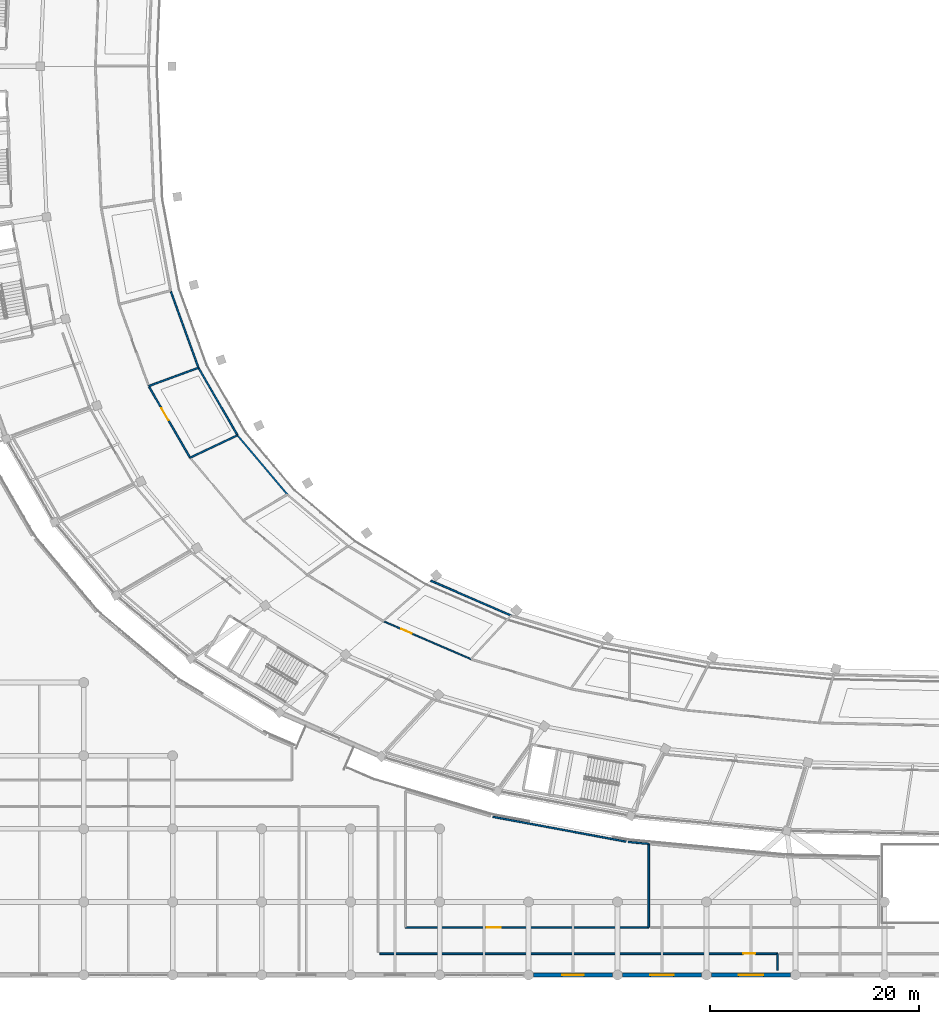
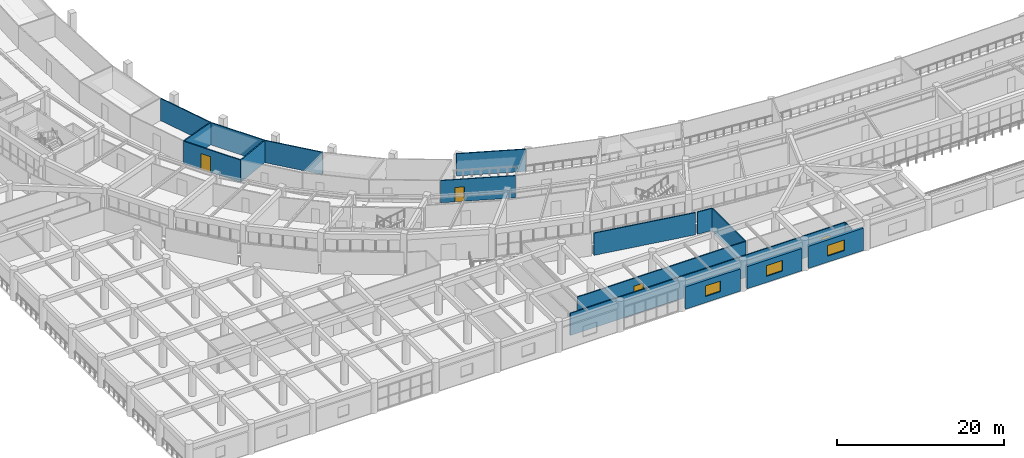
# One storey, part 91 of 141: 17 walls, 4 doors, 3 windows, 7 openings.
"""IFC4 building model written with IfcOpenShell, lengths in metres."""

import ifcopenshell
import ifcopenshell.guid

model = None  # the IFC model being written
_history = None  # IfcOwnerHistory: only IFC2X3 demands one
_inside = {}  # id of a spatial element -> (the spatial element, [elements in it])
_under = {}  # id of a project, library or spatial element -> (it, [spatial elements below it])
_declared = {}  # id of a project -> (the project, [libraries it declares])
_typed = {}  # id of a type object -> (the type object, [elements of that type])
_made_of = {}  # id of a material, layer set ... -> (it, [elements and type objects made of it])


def new_model(schema):
    """Start an empty IFC model of exactly this schema.

    Asked for "IFC4X3", IfcOpenShell would pick the latest addendum, in which some entities
    have other attributes; the version numbers below select the first issue.
    IFC2X3 requires an IfcOwnerHistory on every rooted entity: one is made here for all.
    """
    global model, _history
    if schema == "IFC4X3":
        model = ifcopenshell.file(schema_version=(4, 3, 0, 0))
    else:
        model = ifcopenshell.file(schema=schema)
    _inside.clear()
    _under.clear()
    _declared.clear()
    _typed.clear()
    _made_of.clear()
    _history = None
    if model.schema == "IFC2X3":
        org = make("IfcOrganization", Name="unknown")
        user = make(
            "IfcPersonAndOrganization",
            ThePerson=make("IfcPerson", FamilyName="unknown"),
            TheOrganization=org,
        )
        app = make(
            "IfcApplication",
            ApplicationDeveloper=org,
            Version="unknown",
            ApplicationFullName="unknown",
            ApplicationIdentifier="unknown",
        )
        _history = make(
            "IfcOwnerHistory",
            OwningUser=user,
            OwningApplication=app,
            ChangeAction="ADDED",
            CreationDate=0,
        )
    return model


def make(cls, **values):
    """One entity of the class cls with the attributes given. An attribute that is None is left unset."""
    return model.create_entity(
        cls, **{name: value for name, value in values.items() if value is not None}
    )


def rooted(cls, **values):
    """An entity with a GlobalId (a new one), such as an element, a storey or a relation."""
    return make(cls, GlobalId=ifcopenshell.guid.new(), OwnerHistory=_history, **values)


def si_unit(unit_type, name, prefix=None):
    """IfcSIUnit, for example si_unit("LENGTHUNIT", "METRE", prefix="MILLI")."""
    return make("IfcSIUnit", UnitType=unit_type, Prefix=prefix, Name=name)


def assignment(units):
    """IfcUnitAssignment: the units of a project."""
    return None if units is None else make("IfcUnitAssignment", Units=units)


def point(xyz):
    """IfcCartesianPoint."""
    return None if xyz is None else make("IfcCartesianPoint", Coordinates=xyz)


def direction(xyz):
    """IfcDirection."""
    return None if xyz is None else make("IfcDirection", DirectionRatios=xyz)


def frame(location, z_axis=None, x_axis=None):
    """IfcAxis2Placement3D, a coordinate frame: its origin and axes. An axis left out is left unset."""
    return make(
        "IfcAxis2Placement3D",
        Location=point(location),
        Axis=direction(z_axis),
        RefDirection=direction(x_axis),
    )


def frame_2d(location, x_axis=None):
    """IfcAxis2Placement2D, a coordinate frame in the plane: its origin and x axis."""
    return make(
        "IfcAxis2Placement2D", Location=point(location), RefDirection=direction(x_axis)
    )


def origin():
    """The frame at (0, 0, 0) with its axes left unset."""
    return frame((0.0, 0.0, 0.0))


def place(relative_to, where):
    """IfcLocalPlacement: puts the frame where relative to a parent placement (None: the world)."""
    return make(
        "IfcLocalPlacement", PlacementRelTo=relative_to, RelativePlacement=where
    )


def context(
    kind, dimensions, precision=None, world=None, true_north=None, identifier=None
):
    """IfcGeometricRepresentationContext, for example the 3D "Model" context."""
    return make(
        "IfcGeometricRepresentationContext",
        ContextIdentifier=identifier,
        ContextType=kind,
        CoordinateSpaceDimension=dimensions,
        Precision=precision,
        WorldCoordinateSystem=world,
        TrueNorth=true_north,
    )


def subcontext(parent, identifier, kind, view, scale=None):
    """IfcGeometricRepresentationSubContext, for example "Body" below "Model"."""
    return make(
        "IfcGeometricRepresentationSubContext",
        ContextIdentifier=identifier,
        ContextType=kind,
        ParentContext=parent,
        TargetScale=scale,
        TargetView=view,
    )


def project(units=None, contexts=None):
    """IfcProject with its units and contexts."""
    return rooted(
        "IfcProject",
        Name="project",
        RepresentationContexts=contexts,
        UnitsInContext=assignment(units),
    )


def spatial(cls, under=None, at=None, **own):
    """A site, building, storey or space (cls), placed at a placement, below another one or the project."""
    s = rooted(cls, ObjectPlacement=at, **own)
    if under is not None:
        _under.setdefault(under.id(), (under, []))[1].append(s)
    return s


def profile(cls, at=None, kind="AREA", **sizes):
    """A parametric profile (cls). Its sizes go by their IFC names, for example OverallWidth=200.0."""
    return make(cls, ProfileType=kind, Position=at, **sizes)


def rectangle(**sizes):
    """IfcRectangleProfileDef."""
    return profile("IfcRectangleProfileDef", **sizes)


def extrude(swept, where, along, depth):
    """IfcExtrudedAreaSolid: the profile swept, set in the frame where, extruded along a direction by depth."""
    return make(
        "IfcExtrudedAreaSolid",
        SweptArea=swept,
        Position=where,
        ExtrudedDirection=direction(along),
        Depth=depth,
    )


def shape(context_of_items, identifier, shape_type, items):
    """IfcShapeRepresentation: the items that make up one representation, for example the "Body"."""
    return make(
        "IfcShapeRepresentation",
        ContextOfItems=context_of_items,
        RepresentationIdentifier=identifier,
        RepresentationType=shape_type,
        Items=items,
    )


def material(Name=None, Category=None):
    """IfcMaterial."""
    return make("IfcMaterial", Name=Name, Category=Category)


def layer(
    of_material, thickness, ventilated=None, Name=None, Category=None, Priority=None
):
    """IfcMaterialLayer: one layer of a wall or slab, of a material (None: an air gap)."""
    return make(
        "IfcMaterialLayer",
        Material=of_material,
        LayerThickness=thickness,
        IsVentilated=ventilated,
        Name=Name,
        Category=Category,
        Priority=Priority,
    )


def layer_set(layers, Name=None):
    """IfcMaterialLayerSet."""
    return make("IfcMaterialLayerSet", MaterialLayers=layers, LayerSetName=Name)


def made_of(thing, what):
    """Note that an element or type object is made of a material, layer set ...; save() writes the relation."""
    if what is not None:
        _made_of.setdefault(what.id(), (what, []))[1].append(thing)
    return thing


def type_object(cls, material=None, **own):
    """A type object (cls), such as IfcWallType, which elements share."""
    return made_of(rooted(cls, **own), material)


def element(
    cls,
    number,
    at=None,
    inside=None,
    cuts=None,
    type_object=None,
    material=None,
    context=None,
    identifier="Body",
    shape_type=None,
    held_by="IfcProductDefinitionShape",
    body=None,
    shapes=None,
    **own,
):
    """One element of the class cls, such as IfcWall. Its Tag is "e" and its number.

    at: its placement. inside: the storey or other place that contains it. cuts: it is an
    opening in that element (IfcRelVoidsElement). A single representation is given by context,
    identifier, shape_type and body (its items); several are given by shapes. held_by: the class
    of the entity that holds the representations. save() writes the other relations.
    """
    e = rooted(cls, Tag="e%d" % number, ObjectPlacement=at, **own)
    if body is not None:
        shapes = [shape(context, identifier, shape_type, body)]
    if shapes is not None:
        e.Representation = make(held_by, Representations=shapes)
    if inside is not None:
        _inside.setdefault(inside.id(), (inside, []))[1].append(e)
    if cuts is not None:
        rooted(
            "IfcRelVoidsElement", RelatingBuildingElement=cuts, RelatedOpeningElement=e
        )
    if type_object is not None:
        _typed.setdefault(type_object.id(), (type_object, []))[1].append(e)
    return made_of(e, material)


def fill(opening, filler):
    """IfcRelFillsElement: the door or window that sits in an opening."""
    return rooted(
        "IfcRelFillsElement",
        RelatingOpeningElement=opening,
        RelatedBuildingElement=filler,
    )


def aggregate(whole, parts):
    """IfcRelAggregates: a whole, such as a stair, and the parts it consists of."""
    return rooted("IfcRelAggregates", RelatingObject=whole, RelatedObjects=parts)


def save(model, path):
    """Write the relations noted so far, then the file.

    IfcRelAggregates (storeys below a building ...), IfcRelContainedInSpatialStructure (elements
    in a storey), IfcRelDefinesByType, IfcRelAssociatesMaterial and IfcRelDeclares: one each for
    every whole, place, type object, material and project.
    """
    for whole, parts in _under.values():
        aggregate(whole, parts)
    for where, things in _inside.values():
        rooted(
            "IfcRelContainedInSpatialStructure",
            RelatedElements=things,
            RelatingStructure=where,
        )
    for kind, things in _typed.values():
        rooted("IfcRelDefinesByType", RelatedObjects=things, RelatingType=kind)
    for what, things in _made_of.values():
        rooted("IfcRelAssociatesMaterial", RelatedObjects=things, RelatingMaterial=what)
    for by, libraries in _declared.values():
        rooted("IfcRelDeclares", RelatingContext=by, RelatedDefinitions=libraries)
    model.write(path)


model = new_model("IFC4")

# Units and contexts
model_context = context("Model", 3, precision=1e-05, world=origin(), true_north=direction((0.0, 1.0)))
body_context = subcontext(model_context, "Body", "Model", "MODEL_VIEW")
ifc_project = project(units=[si_unit("LENGTHUNIT", "METRE"), si_unit("AREAUNIT", "SQUARE_METRE"), si_unit("VOLUMEUNIT", "CUBIC_METRE"), si_unit("PLANEANGLEUNIT", "RADIAN"), si_unit("MASSUNIT", "GRAM", prefix="KILO")], contexts=[model_context])

# Site, building, storey
site_placement = place(None, origin())
site = spatial("IfcSite", under=ifc_project, at=site_placement, CompositionType="ELEMENT")
building_placement = place(site_placement, origin())
building = spatial("IfcBuilding", under=site, at=building_placement, Name="Mphavela Belvedere Stadium", CompositionType="ELEMENT")
storey_placement = place(building_placement, frame((0.0, 0.0, 14.699951171875)))
storey = spatial("IfcBuildingStorey", under=building, at=storey_placement, Name="L03", CompositionType="ELEMENT", Elevation=14.699951171875)

# Wall, opening, window
ifc_material_1 = material(Name="Honed ashlar limestone masonry", Category="masonry")
ifc_layer_1 = layer(ifc_material_1, 0.35009765625)
ifc_layer_set_1 = layer_set([ifc_layer_1], Name="Honed ashlar limestone masonry")
wall_type_1 = type_object("IfcWallType", Name="WAL-EXT-ASHLAR-350", PredefinedType="STANDARD", material=ifc_layer_set_1)
wall_1_placement = place(storey_placement, frame((76.194091796875, 0.0, 0.0), z_axis=(0.0, 0.0, 1.0), x_axis=(-1.0, 0.0, 0.0)))
wall_1 = element("IfcWall", 1, at=wall_1_placement, inside=storey, type_object=wall_type_1, Name="South Axial Triumphal Peristyle Portico outer facade bay L03-09", PredefinedType="STANDARD", context=body_context, shape_type="SweptSolid", body=[
    extrude(rectangle(XDim=7.572998046875, YDim=0.35009765625, at=frame_2d((3.78662109375, 0.0))), origin(), (0.0, 0.0, 1.0), 3.260009765625),
])
opening_1_placement = place(wall_1_placement, frame((2.74658203125, 0.0, 0.89990234375)))
opening_1 = element("IfcOpeningElement", 2, at=opening_1_placement, cuts=wall_1, Name="Opening W-096", PredefinedType="OPENING", context=body_context, shape_type="SweptSolid", body=[
    extrude(rectangle(XDim=2.080078125, YDim=1.550048828125, at=frame_2d((1.0400390625, 0.77490234375))), frame((0.0, 0.18505859375, 0.0), z_axis=(0.0, -1.0, 0.0), x_axis=(1.0, 0.0, 0.0)), (0.0, 0.0, 1.0), 0.3701171875),
])
ifc_material_2 = material(Name="Bronze-anodised thermally broken aluminium window", Category="aluminium")
window_type_1 = type_object("IfcWindowType", Name="WIN-EXT-08", PartitioningType="SINGLE_PANEL", PredefinedType="WINDOW", material=ifc_material_2)
window_1_placement = place(opening_1_placement, origin())
window_1 = element("IfcWindow", 3, at=window_1_placement, inside=storey, type_object=window_type_1, Name="South Axial Triumphal Peristyle Portico classical window W-096", OverallHeight=1.550048828125, OverallWidth=2.080078125, PartitioningType="SINGLE_PANEL", PredefinedType="WINDOW", context=body_context, shape_type="SweptSolid", body=[
    extrude(rectangle(XDim=2.080078125, YDim=1.550048828125, at=frame_2d((1.0400390625, 0.77490234375))), frame((0.0, 0.030029296875, 0.0), z_axis=(0.0, -1.0, 0.0), x_axis=(1.0, 0.0, 0.0)), (0.0, 0.0, 1.0), 0.06005859375),
])
fill(opening_1, window_1)

wall_2_placement = place(storey_placement, frame((84.7119140625, 0.0, 0.0), z_axis=(0.0, 0.0, 1.0), x_axis=(-1.0, 0.0, 0.0)))
wall_2 = element("IfcWall", 4, at=wall_2_placement, inside=storey, type_object=wall_type_1, Name="South Axial Triumphal Peristyle Portico outer facade bay L03-10", PredefinedType="STANDARD", context=body_context, shape_type="SweptSolid", body=[
    extrude(rectangle(XDim=7.572021484375, YDim=0.35009765625, at=frame_2d((3.7861328125, 0.0))), origin(), (0.0, 0.0, 1.0), 3.260009765625),
])
opening_2_placement = place(wall_2_placement, frame((2.676025390625, 0.0, 0.89990234375)))
opening_2 = element("IfcOpeningElement", 5, at=opening_2_placement, cuts=wall_2, Name="Opening W-097", PredefinedType="OPENING", context=body_context, shape_type="SweptSolid", body=[
    extrude(rectangle(XDim=2.219970703125, YDim=1.550048828125, at=frame_2d((1.10986328125, 0.77490234375))), frame((0.0, 0.18505859375, 0.0), z_axis=(0.0, -1.0, 0.0), x_axis=(1.0, 0.0, 0.0)), (0.0, 0.0, 1.0), 0.3701171875),
])
ifc_material_3 = material(Name="Bronze-anodised thermally broken aluminium window", Category="aluminium")
window_type_2 = type_object("IfcWindowType", Name="WIN-EXT-09", PartitioningType="SINGLE_PANEL", PredefinedType="WINDOW", material=ifc_material_3)
window_2_placement = place(opening_2_placement, origin())
window_2 = element("IfcWindow", 6, at=window_2_placement, inside=storey, type_object=window_type_2, Name="South Axial Triumphal Peristyle Portico classical window W-097", OverallHeight=1.550048828125, OverallWidth=2.219970703125, PartitioningType="SINGLE_PANEL", PredefinedType="WINDOW", context=body_context, shape_type="SweptSolid", body=[
    extrude(rectangle(XDim=2.219970703125, YDim=1.550048828125, at=frame_2d((1.10986328125, 0.77490234375))), frame((0.0, 0.030029296875, 0.0), z_axis=(0.0, -1.0, 0.0), x_axis=(1.0, 0.0, 0.0)), (0.0, 0.0, 1.0), 0.06005859375),
])
fill(opening_2, window_2)

wall_3_placement = place(storey_placement, frame((93.23095703125, 0.0, 0.0), z_axis=(0.0, 0.0, 1.0), x_axis=(-1.0, 0.0, 0.0)))
wall_3 = element("IfcWall", 7, at=wall_3_placement, inside=storey, type_object=wall_type_1, Name="South Axial Triumphal Peristyle Portico outer facade bay L03-11", PredefinedType="STANDARD", context=body_context, shape_type="SweptSolid", body=[
    extrude(rectangle(XDim=7.572998046875, YDim=0.35009765625, at=frame_2d((3.78662109375, 0.0))), origin(), (0.0, 0.0, 1.0), 3.260009765625),
])
opening_3_placement = place(wall_3_placement, frame((2.6064453125, 0.0, 0.89990234375)))
opening_3 = element("IfcOpeningElement", 8, at=opening_3_placement, cuts=wall_3, Name="Opening W-098", PredefinedType="OPENING", context=body_context, shape_type="SweptSolid", body=[
    extrude(rectangle(XDim=2.360107421875, YDim=1.550048828125, at=frame_2d((1.18017578125, 0.77490234375))), frame((0.0, 0.18505859375, 0.0), z_axis=(0.0, -1.0, 0.0), x_axis=(1.0, 0.0, 0.0)), (0.0, 0.0, 1.0), 0.3701171875),
])
ifc_material_4 = material(Name="Bronze-anodised thermally broken aluminium window", Category="aluminium")
window_type_3 = type_object("IfcWindowType", Name="WIN-EXT-10", PartitioningType="SINGLE_PANEL", PredefinedType="WINDOW", material=ifc_material_4)
window_3_placement = place(opening_3_placement, origin())
window_3 = element("IfcWindow", 9, at=window_3_placement, inside=storey, type_object=window_type_3, Name="South Axial Triumphal Peristyle Portico classical window W-098", OverallHeight=1.550048828125, OverallWidth=2.360107421875, PartitioningType="SINGLE_PANEL", PredefinedType="WINDOW", context=body_context, shape_type="SweptSolid", body=[
    extrude(rectangle(XDim=2.360107421875, YDim=1.550048828125, at=frame_2d((1.18017578125, 0.77490234375))), frame((0.0, 0.030029296875, 0.0), z_axis=(0.0, -1.0, 0.0), x_axis=(1.0, 0.0, 0.0)), (0.0, 0.0, 1.0), 0.06005859375),
])
fill(opening_3, window_3)

# Wall, opening, door
ifc_material_5 = material(Name="Moisture-resistant sanitary partition assembly")
ifc_layer_2 = layer(ifc_material_5, 0.125)
ifc_layer_set_2 = layer_set([ifc_layer_2], Name="Moisture-resistant sanitary partition assembly")
wall_type_2 = type_object("IfcWallType", Name="WAL-PART-125", PredefinedType="PARTITIONING", material=ifc_layer_set_2)
wall_4_placement = place(storey_placement, frame((62.617919921875, 30.246826171875, 0.0), z_axis=(0.0, 0.0, 1.0), x_axis=(-0.917494590455, 0.397748257677, 0.0)))
wall_4 = element("IfcWall", 10, at=wall_4_placement, inside=storey, type_object=wall_type_2, Name="Room L03-116 corridor partition", PredefinedType="PARTITIONING", context=body_context, shape_type="SweptSolid", body=[
    extrude(rectangle(XDim=9.04931640625, YDim=0.125, at=frame_2d((4.524658203125, 0.0))), origin(), (0.0, 0.0, 1.0), 3.25),
])
opening_4_placement = place(wall_4_placement, frame((6.16748046875, 0.0, 0.0)))
opening_4 = element("IfcOpeningElement", 11, at=opening_4_placement, cuts=wall_4, Name="Opening ID-294", PredefinedType="OPENING", context=body_context, shape_type="SweptSolid", body=[
    extrude(rectangle(XDim=1.10009765625, YDim=2.10009765625, at=frame_2d((0.550048828125, 1.050048828125))), frame((0.0, 0.072509765625, 0.0), z_axis=(0.0, -1.0, 0.0), x_axis=(1.0, 0.0, 0.0)), (0.0, 0.0, 1.0), 0.14501953125),
])
ifc_material_6 = material(Name="Hardwood acoustic timber doorset", Category="wood")
door_type_1 = type_object("IfcDoorType", Name="DR-INT-06", OperationType="NOTDEFINED", PredefinedType="DOOR", material=ifc_material_6)
door_1_placement = place(opening_4_placement, origin())
door_1 = element("IfcDoor", 12, at=door_1_placement, inside=storey, type_object=door_type_1, Name="Room L03-116 entrance door ID-294", OperationType="SINGLE_SWING_RIGHT", OverallHeight=2.10009765625, OverallWidth=1.10009765625, PredefinedType="DOOR", context=body_context, shape_type="SweptSolid", body=[
    extrude(rectangle(XDim=1.10009765625, YDim=2.10009765625, at=frame_2d((0.550048828125, 1.050048828125))), frame((0.0, 0.02490234375, 0.0), z_axis=(0.0, -1.0, 0.0), x_axis=(1.0, 0.0, 0.0)), (0.0, 0.0, 1.0), 0.050048828125),
])
fill(opening_4, door_1)

ifc_material_7 = material(Name="Acoustic gypsum stud partition assembly")
ifc_layer_3 = layer(ifc_material_7, 0.14990234375)
ifc_layer_set_3 = layer_set([ifc_layer_3], Name="Acoustic gypsum stud partition assembly")
wall_type_3 = type_object("IfcWallType", Name="WAL-PART-150", PredefinedType="PARTITIONING", material=ifc_layer_set_3)
wall_5_placement = place(storey_placement, frame((35.739990234375, 49.52783203125, 0.0), z_axis=(0.0, 0.0, 1.0), x_axis=(-0.500584301803, 0.865687794063, 0.0)))
wall_5 = element("IfcWall", 13, at=wall_5_placement, inside=storey, type_object=wall_type_3, Name="Room L03-105 corridor partition", PredefinedType="PARTITIONING", context=body_context, shape_type="SweptSolid", body=[
    extrude(rectangle(XDim=7.8369140625, YDim=0.14990234375, at=frame_2d((3.91845703125, 0.0))), origin(), (0.0, 0.0, 1.0), 3.25),
])
opening_5_placement = place(wall_5_placement, frame((4.14013671875, 0.0, 0.0)))
opening_5 = element("IfcOpeningElement", 14, at=opening_5_placement, cuts=wall_5, Name="Opening ID-287", PredefinedType="OPENING", context=body_context, shape_type="SweptSolid", body=[
    extrude(rectangle(XDim=1.320068359375, YDim=2.300048828125, at=frame_2d((0.66015625, 1.14990234375))), frame((0.0, 0.0849609375, 0.0), z_axis=(0.0, -1.0, 0.0), x_axis=(1.0, 0.0, 0.0)), (0.0, 0.0, 1.0), 0.169921875),
])
ifc_material_8 = material(Name="Hardwood acoustic timber doorset", Category="wood")
door_type_2 = type_object("IfcDoorType", Name="DR-INT-35", OperationType="NOTDEFINED", PredefinedType="DOOR", material=ifc_material_8)
door_2_placement = place(opening_5_placement, origin())
door_2 = element("IfcDoor", 15, at=door_2_placement, inside=storey, type_object=door_type_2, Name="Room L03-105 entrance door ID-287", OperationType="SINGLE_SWING_LEFT", OverallHeight=2.300048828125, OverallWidth=1.320068359375, PredefinedType="DOOR", context=body_context, shape_type="SweptSolid", body=[
    extrude(rectangle(XDim=1.320068359375, YDim=2.300048828125, at=frame_2d((0.66015625, 1.14990234375))), frame((0.0, 0.02490234375, 0.0), z_axis=(0.0, -1.0, 0.0), x_axis=(1.0, 0.0, 0.0)), (0.0, 0.0, 1.0), 0.050048828125),
])
fill(opening_5, door_2)

wall_6_placement = place(storey_placement, frame((53.89990234375, 2.0400390625, 0.0), z_axis=(0.0, 0.0, 1.0), x_axis=(1.0, 0.0, 0.0)))
wall_6 = element("IfcWall", 16, at=wall_6_placement, inside=storey, type_object=wall_type_3, Name="Room L03-167 corridor partition", PredefinedType="PARTITIONING", context=body_context, shape_type="SweptSolid", body=[
    extrude(rectangle(XDim=38.090087890625, YDim=0.14990234375, at=frame_2d((19.044921875, 0.0))), origin(), (0.0, 0.0, 1.0), 3.25),
])
opening_6_placement = place(wall_6_placement, frame((34.814453125, 0.0, 0.0)))
opening_6 = element("IfcOpeningElement", 17, at=opening_6_placement, cuts=wall_6, Name="Opening ID-403", PredefinedType="OPENING", context=body_context, shape_type="SweptSolid", body=[
    extrude(rectangle(XDim=1.139892578125, YDim=2.10009765625, at=frame_2d((0.56982421875, 1.050048828125))), frame((0.0, 0.0849609375, 0.0), z_axis=(0.0, -1.0, 0.0), x_axis=(1.0, 0.0, 0.0)), (0.0, 0.0, 1.0), 0.169921875),
])
ifc_material_9 = material(Name="Hardwood acoustic timber doorset", Category="wood")
door_type_3 = type_object("IfcDoorType", Name="DR-INT-07", OperationType="NOTDEFINED", PredefinedType="DOOR", material=ifc_material_9)
door_3_placement = place(opening_6_placement, origin())
door_3 = element("IfcDoor", 18, at=door_3_placement, inside=storey, type_object=door_type_3, Name="Room L03-167 entrance door ID-403", OperationType="SINGLE_SWING_LEFT", OverallHeight=2.10009765625, OverallWidth=1.139892578125, PredefinedType="DOOR", context=body_context, shape_type="SweptSolid", body=[
    extrude(rectangle(XDim=1.139892578125, YDim=2.10009765625, at=frame_2d((0.56982421875, 1.050048828125))), frame((0.0, 0.02490234375, 0.0), z_axis=(0.0, -1.0, 0.0), x_axis=(1.0, 0.0, 0.0)), (0.0, 0.0, 1.0), 0.050048828125),
])
fill(opening_6, door_3)

wall_7_placement = place(storey_placement, frame((79.656005859375, 4.56005859375, 0.0), z_axis=(0.0, 0.0, 1.0), x_axis=(-1.0, 0.0, 0.0)))
wall_7 = element("IfcWall", 19, at=wall_7_placement, inside=storey, type_object=wall_type_3, Name="Room L03-171 corridor partition", PredefinedType="PARTITIONING", context=body_context, shape_type="SweptSolid", body=[
    extrude(rectangle(XDim=23.2958984375, YDim=0.14990234375, at=frame_2d((11.64794921875, 0.0))), origin(), (0.0, 0.0, 1.0), 3.25),
])
opening_7_placement = place(wall_7_placement, frame((14.1884765625, 0.0, 0.0)))
opening_7 = element("IfcOpeningElement", 20, at=opening_7_placement, cuts=wall_7, Name="Opening ID-407", PredefinedType="OPENING", context=body_context, shape_type="SweptSolid", body=[
    extrude(rectangle(XDim=1.320068359375, YDim=2.10009765625, at=frame_2d((0.66015625, 1.050048828125))), frame((0.0, 0.0849609375, 0.0), z_axis=(0.0, -1.0, 0.0), x_axis=(1.0, 0.0, 0.0)), (0.0, 0.0, 1.0), 0.169921875),
])
ifc_material_10 = material(Name="Hardwood acoustic timber doorset", Category="wood")
door_type_4 = type_object("IfcDoorType", Name="DR-INT-11", OperationType="NOTDEFINED", PredefinedType="DOOR", material=ifc_material_10)
door_4_placement = place(opening_7_placement, origin())
door_4 = element("IfcDoor", 21, at=door_4_placement, inside=storey, type_object=door_type_4, Name="Room L03-171 entrance door ID-407", OperationType="SINGLE_SWING_LEFT", OverallHeight=2.10009765625, OverallWidth=1.320068359375, PredefinedType="DOOR", context=body_context, shape_type="SweptSolid", body=[
    extrude(rectangle(XDim=1.320068359375, YDim=2.10009765625, at=frame_2d((0.66015625, 1.050048828125))), frame((0.0, 0.02490234375, 0.0), z_axis=(0.0, -1.0, 0.0), x_axis=(1.0, 0.0, 0.0)), (0.0, 0.0, 1.0), 0.050048828125),
])
fill(opening_7, door_4)

# Walls
wall_8_placement = place(storey_placement, frame((33.898193359375, 65.451416015625, 0.0), z_axis=(0.0, 0.0, 1.0), x_axis=(0.341049747433, -0.940045248792, 0.0)))
element("IfcWall", 22, at=wall_8_placement, inside=storey, type_object=wall_type_3, Name="Room divider partition L03-0513", PredefinedType="PARTITIONING", context=body_context, shape_type="SweptSolid", body=[
    extrude(rectangle(XDim=7.7763671875, YDim=0.14990234375, at=frame_2d((3.88818359375, 0.0))), origin(), (0.0, 0.0, 1.0), 3.25),
])
wall_9_placement = place(storey_placement, frame((36.55029296875, 58.141357421875, 0.0), z_axis=(0.0, 0.0, 1.0), x_axis=(-0.938341476122, -0.34570981211, 0.0)))
element("IfcWall", 23, at=wall_9_placement, inside=storey, type_object=wall_type_3, Name="Room divider partition L03-0514", PredefinedType="PARTITIONING", context=body_context, shape_type="SweptSolid", body=[
    extrude(rectangle(XDim=5.0810546875, YDim=0.14990234375, at=frame_2d((2.54052734375, 0.0))), origin(), (0.0, 0.0, 1.0), 3.25),
])
wall_10_placement = place(storey_placement, frame((36.58349609375, 58.068359375, 0.0), z_axis=(0.0, 0.0, 1.0), x_axis=(0.500555224894, -0.865704607144, 0.0)))
element("IfcWall", 24, at=wall_10_placement, inside=storey, type_object=wall_type_3, Name="Room divider partition L03-0516", PredefinedType="PARTITIONING", context=body_context, shape_type="SweptSolid", body=[
    extrude(rectangle(XDim=7.38330078125, YDim=0.14990234375, at=frame_2d((3.691650390625, 0.0))), origin(), (0.0, 0.0, 1.0), 3.25),
])
wall_11_placement = place(storey_placement, frame((40.279296875, 51.676513671875, 0.0), z_axis=(0.0, 0.0, 1.0), x_axis=(-0.903854607543, -0.427839746194, 0.0)))
element("IfcWall", 25, at=wall_11_placement, inside=storey, type_object=wall_type_3, Name="Room divider partition L03-0517", PredefinedType="PARTITIONING", context=body_context, shape_type="SweptSolid", body=[
    extrude(rectangle(XDim=5.022216796875, YDim=0.14990234375, at=frame_2d((2.51123046875, 0.0))), origin(), (0.0, 0.0, 1.0), 3.25),
])
wall_12_placement = place(storey_placement, frame((40.3251953125, 51.609619140625, 0.0), z_axis=(0.0, 0.0, 1.0), x_axis=(0.645177360874, -0.764032835038, 0.0)))
element("IfcWall", 26, at=wall_12_placement, inside=storey, type_object=wall_type_3, Name="Room divider partition L03-0520", PredefinedType="PARTITIONING", context=body_context, shape_type="SweptSolid", body=[
    extrude(rectangle(XDim=7.3291015625, YDim=0.14990234375, at=frame_2d((3.66455078125, 0.0))), origin(), (0.0, 0.0, 1.0), 3.25),
])
wall_13_placement = place(storey_placement, frame((58.78369140625, 37.75634765625, 0.0), z_axis=(0.0, 0.0, 1.0), x_axis=(0.917493946853, -0.397749742286, 0.0)))
element("IfcWall", 27, at=wall_13_placement, inside=storey, type_object=wall_type_3, Name="Room divider partition L03-0530", PredefinedType="PARTITIONING", context=body_context, shape_type="SweptSolid", body=[
    extrude(rectangle(XDim=8.377197265625, YDim=0.14990234375, at=frame_2d((4.1884765625, 0.0))), origin(), (0.0, 0.0, 1.0), 3.25),
])
wall_14_placement = place(storey_placement, frame((91.989990234375, 2.0400390625, 0.0), z_axis=(0.0, 0.0, 1.0), x_axis=(0.0, -1.0, 0.0)))
element("IfcWall", 28, at=wall_14_placement, inside=storey, type_object=wall_type_3, Name="Room divider partition L03-0804", PredefinedType="PARTITIONING", context=body_context, shape_type="SweptSolid", body=[
    extrude(rectangle(XDim=1.590087890625, YDim=0.14990234375, at=frame_2d((0.794921875, 0.0))), origin(), (0.0, 0.0, 1.0), 3.25),
])
wall_15_placement = place(storey_placement, frame((64.7412109375, 15.1455078125, 0.0), z_axis=(0.0, 0.0, 1.0), x_axis=(0.983094545276, -0.183098648406, 0.0)))
element("IfcWall", 29, at=wall_15_placement, inside=storey, type_object=wall_type_3, Name="Room divider partition L03-0820", PredefinedType="PARTITIONING", context=body_context, shape_type="SweptSolid", body=[
    extrude(rectangle(XDim=12.947265625, YDim=0.14990234375, at=frame_2d((6.4736328125, 0.0))), origin(), (0.0, 0.0, 1.0), 3.25),
])
wall_16_placement = place(storey_placement, frame((77.68994140625, 12.743896484375, 0.0), z_axis=(0.0, 0.0, 1.0), x_axis=(0.995483241572, -0.094937430712, 0.0)))
element("IfcWall", 30, at=wall_16_placement, inside=storey, type_object=wall_type_3, Name="Room divider partition L03-0821", PredefinedType="PARTITIONING", context=body_context, shape_type="SweptSolid", body=[
    extrude(rectangle(XDim=1.97509765625, YDim=0.14990234375, at=frame_2d((0.987548828125, 0.0))), origin(), (0.0, 0.0, 1.0), 3.25),
])
wall_17_placement = place(storey_placement, frame((79.656005859375, 12.556396484375, 0.0), z_axis=(0.0, 0.0, 1.0), x_axis=(0.0, -1.0, 0.0)))
element("IfcWall", 31, at=wall_17_placement, inside=storey, type_object=wall_type_3, Name="Room divider partition L03-0822", PredefinedType="PARTITIONING", context=body_context, shape_type="SweptSolid", body=[
    extrude(rectangle(XDim=7.996337890625, YDim=0.14990234375, at=frame_2d((3.998046875, 0.0))), origin(), (0.0, 0.0, 1.0), 3.25),
])

save(model, "model.ifc")
